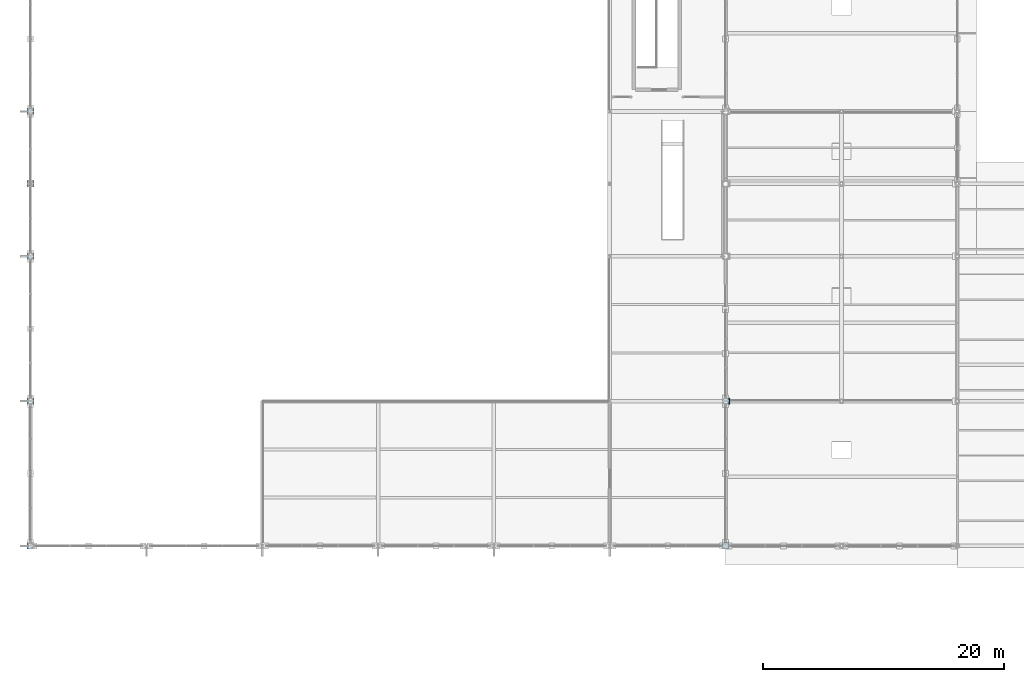
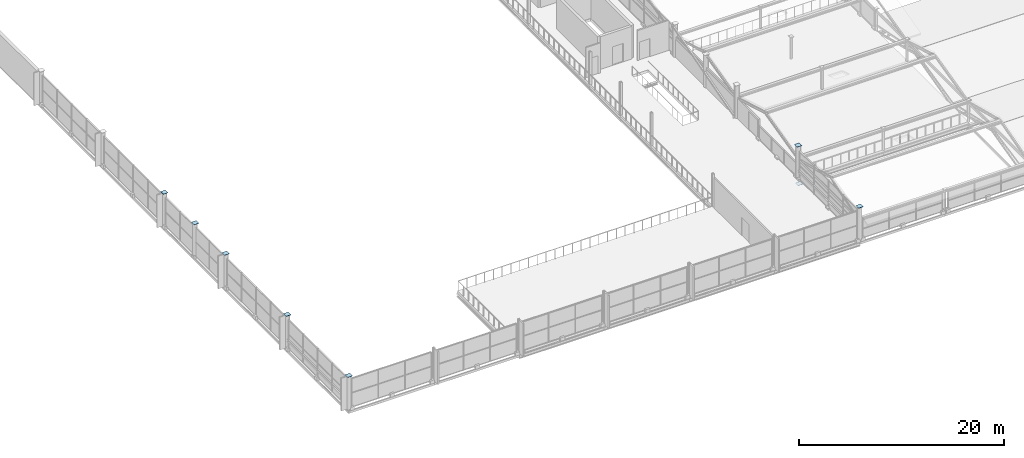
# One storey, part 97 of 117: 8 plates.
"""IFC4 building model written with IfcOpenShell, lengths in metres."""

from ifc_helpers import new_model, si_unit, direction, frame, origin, origin_2d, place, context, subcontext, project, spatial, rectangle, extrude, material, layer, layer_set, type_object, element, save


model = new_model("IFC4")

# Units and contexts
model_context = context("Model", 3, precision=1e-05, world=origin(), true_north=direction((0.0, 1.0)))
body_context = subcontext(model_context, "Body", "Model", "MODEL_VIEW")
ifc_project = project(units=[si_unit("LENGTHUNIT", "METRE"), si_unit("AREAUNIT", "SQUARE_METRE"), si_unit("VOLUMEUNIT", "CUBIC_METRE"), si_unit("PLANEANGLEUNIT", "RADIAN"), si_unit("MASSUNIT", "GRAM", prefix="KILO")], contexts=[model_context])

# Site, building, storey
site_placement = place(None, origin())
site = spatial("IfcSite", under=ifc_project, at=site_placement, CompositionType="ELEMENT")
building_placement = place(site_placement, origin())
building = spatial("IfcBuilding", under=site, at=building_placement, Name="Merenkruunu Market Hall", CompositionType="ELEMENT")
storey_placement = place(building_placement, frame((0.0, 0.0, 10.199951171875)))
storey = spatial("IfcBuildingStorey", under=building, at=storey_placement, Name="L02", CompositionType="ELEMENT", Elevation=10.199951171875)

# Plates
ifc_material = material(Name="Steel S355ML", Category="steel")
ifc_layer = layer(ifc_material, 0.02392578125)
ifc_layer_set = layer_set([ifc_layer], Name="Steel S355ML")
plate_type = type_object("IfcPlateType", Name="Truss Gusset Or Cap Plate CP03", PredefinedType="USERDEFINED", material=ifc_layer_set)
for number, where, z_axis, x_axis, name in (
    (1, (0.0, 15.60009765625, 3.898193359375), (0.0, 0.0, 1.0), (1.0, 0.0, 0.0), "PLT-CAP-002"),
    (2, (0.0, 27.60009765625, 3.898193359375), (0.0, 0.0, 1.0), (1.0, 0.0, 0.0), "PLT-CAP-003"),
    (3, (0.0, 39.60009765625, 3.898193359375), (0.0, 0.0, 1.0), (1.0, 0.0, 0.0), "PLT-CAP-004"),
    (4, (0.0, 45.60009765625, 3.898193359375), (0.0, 0.0, 1.0), (1.0, 0.0, 0.0), "PLT-CAP-005"),
    (5, (0.0, 51.60009765625, 3.898193359375), (0.0, 0.0, 1.0), (1.0, 0.0, 0.0), "PLT-CAP-006"),
    (6, (57.60009765625, 15.60009765625, 3.898193359375), (0.0, 0.0, 1.0), (1.0, 0.0, 0.0), "PLT-CAP-018"),
    (7, (57.60009765625, 27.60009765625, 3.898193359375), (0.0, 0.0, 1.0), (1.0, 0.0, 0.0), "PLT-CAP-019"),
    (8, (57.699951171875, 27.60009765625, -0.73388671875), (0.0, 0.0, 1.0), (1.0, 0.0, 0.0), "PLT-SB-SEAT-W-01"),
):
    element("IfcPlate", number, at=place(storey_placement, frame(where, z_axis=z_axis, x_axis=x_axis)), inside=storey, type_object=plate_type, Name=name, ObjectType="GUSSET_PLATE", PredefinedType="USERDEFINED", context=body_context, shape_type="SweptSolid", body=[
        extrude(rectangle(XDim=0.5400390625, YDim=0.5400390625, at=origin_2d()), origin(), (0.0, 0.0, 1.0), 0.02392578125),
    ])

save(model, "model.ifc")
